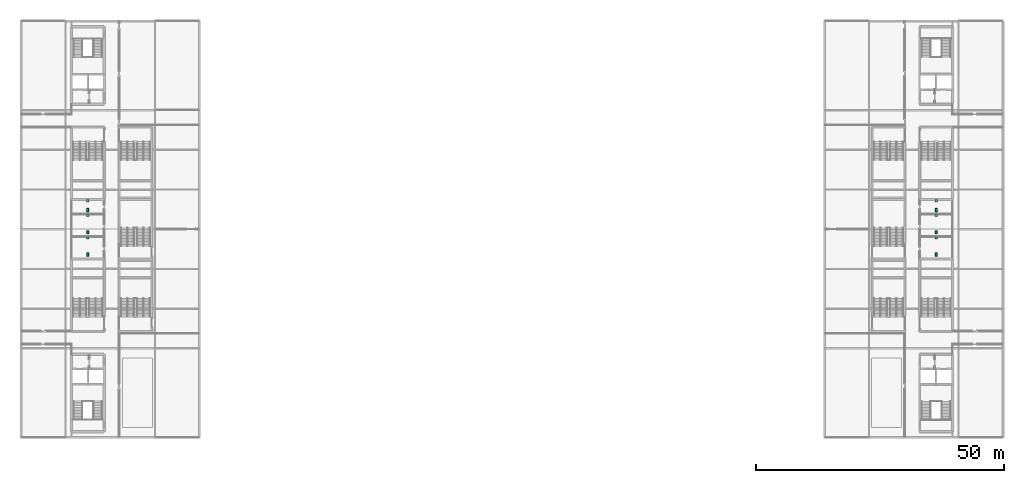
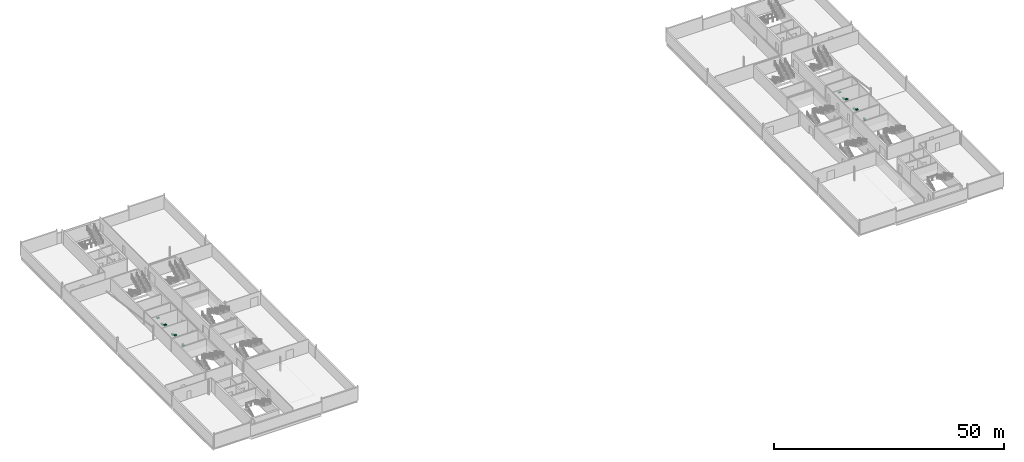
# One storey, part 30 of 30: 12 sanitary terminals.
"""IFC4 building model written with IfcOpenShell, lengths in metres."""

from ifc_helpers import new_model, si_unit, direction, frame, origin, origin_2d, place, context, subcontext, project, spatial, rectangle, extrude, material, type_object, element, save


model = new_model("IFC4")

# Units and contexts
model_context = context("Model", 3, precision=1e-05, world=origin(), true_north=direction((0.0, 1.0)))
body_context = subcontext(model_context, "Body", "Model", "MODEL_VIEW")
ifc_project = project(units=[si_unit("LENGTHUNIT", "METRE"), si_unit("AREAUNIT", "SQUARE_METRE"), si_unit("VOLUMEUNIT", "CUBIC_METRE"), si_unit("PLANEANGLEUNIT", "RADIAN"), si_unit("MASSUNIT", "GRAM", prefix="KILO")], contexts=[model_context])

# Site, building, storey
site_placement = place(None, origin())
site = spatial("IfcSite", under=ifc_project, at=site_placement, CompositionType="ELEMENT")
building_placement = place(site_placement, origin())
building = spatial("IfcBuilding", under=site, at=building_placement, Name="Kisiwana Market Hall", CompositionType="ELEMENT")
storey_placement = place(building_placement, frame((0.0, 0.0, 54.0)))
storey = spatial("IfcBuildingStorey", under=building, at=storey_placement, Name="L12", CompositionType="ELEMENT", Elevation=54.0)

# Sanitary terminals
ifc_material_1 = material(Name="Vitreous china")
sanitary_terminal_type_1 = type_object("IfcSanitaryTerminalType", Name="SAN-BASIN", PredefinedType="WASHHANDBASIN", material=ifc_material_1)
for number, where, z_axis, x_axis, name in (
    (1, (13.5, 58.25, 0.68017578125), (0.0, 0.0, 1.0), (1.0, 0.0, 0.0), "Washhand basin L12-0079"),
    (2, (13.5, 62.75, 0.68017578125), (0.0, 0.0, 1.0), (1.0, 0.0, 0.0), "Washhand basin L12-0080"),
    (3, (13.5, 65.75, 0.68017578125), (0.0, 0.0, 1.0), (1.0, 0.0, 0.0), "Washhand basin L12-0081"),
    (4, (184.5, 58.25, 0.68017578125), (0.0, 0.0, 1.0), (1.0, 0.0, 0.0), "Washhand basin L12-0082"),
    (5, (184.5, 62.75, 0.68017578125), (0.0, 0.0, 1.0), (1.0, 0.0, 0.0), "Washhand basin L12-0083"),
    (6, (184.5, 65.75, 0.68017578125), (0.0, 0.0, 1.0), (1.0, 0.0, 0.0), "Washhand basin L12-0084"),
):
    element("IfcSanitaryTerminal", number, at=place(storey_placement, frame(where, z_axis=z_axis, x_axis=x_axis)), inside=storey, type_object=sanitary_terminal_type_1, Name=name, PredefinedType="WASHHANDBASIN", context=body_context, shape_type="SweptSolid", body=[
        extrude(rectangle(XDim=0.550048828125, YDim=0.449951171875, at=origin_2d()), origin(), (0.0, 0.0, 1.0), 0.199951171875),
    ])
ifc_material_2 = material(Name="Vitreous china")
sanitary_terminal_type_2 = type_object("IfcSanitaryTerminalType", Name="SAN-WC-PAN", PredefinedType="TOILETPAN", material=ifc_material_2)
for number, where, z_axis, x_axis, name in (
    (7, (13.5, 54.89990234375, 0.0), (0.0, 0.0, 1.0), (1.0, 0.0, 0.0), "WC pan L12-0079"),
    (8, (13.5, 59.39990234375, 0.0), (0.0, 0.0, 1.0), (1.0, 0.0, 0.0), "WC pan L12-0080"),
    (9, (13.5, 63.89990234375, 0.0), (0.0, 0.0, 1.0), (1.0, 0.0, 0.0), "WC pan L12-0081"),
    (10, (184.5, 54.89990234375, 0.0), (0.0, 0.0, 1.0), (1.0, 0.0, 0.0), "WC pan L12-0082"),
    (11, (184.5, 59.39990234375, 0.0), (0.0, 0.0, 1.0), (1.0, 0.0, 0.0), "WC pan L12-0083"),
    (12, (184.5, 63.89990234375, 0.0), (0.0, 0.0, 1.0), (1.0, 0.0, 0.0), "WC pan L12-0084"),
):
    element("IfcSanitaryTerminal", number, at=place(storey_placement, frame(where, z_axis=z_axis, x_axis=x_axis)), inside=storey, type_object=sanitary_terminal_type_2, Name=name, PredefinedType="TOILETPAN", context=body_context, shape_type="SweptSolid", body=[
        extrude(rectangle(XDim=0.39990234375, YDim=0.64990234375, at=origin_2d()), origin(), (0.0, 0.0, 1.0), 0.419921875),
    ])

save(model, "model.ifc")
